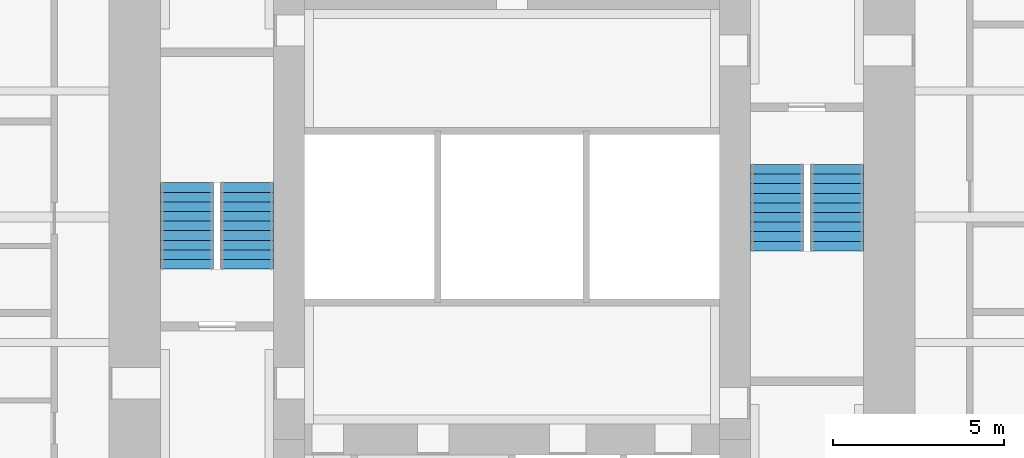
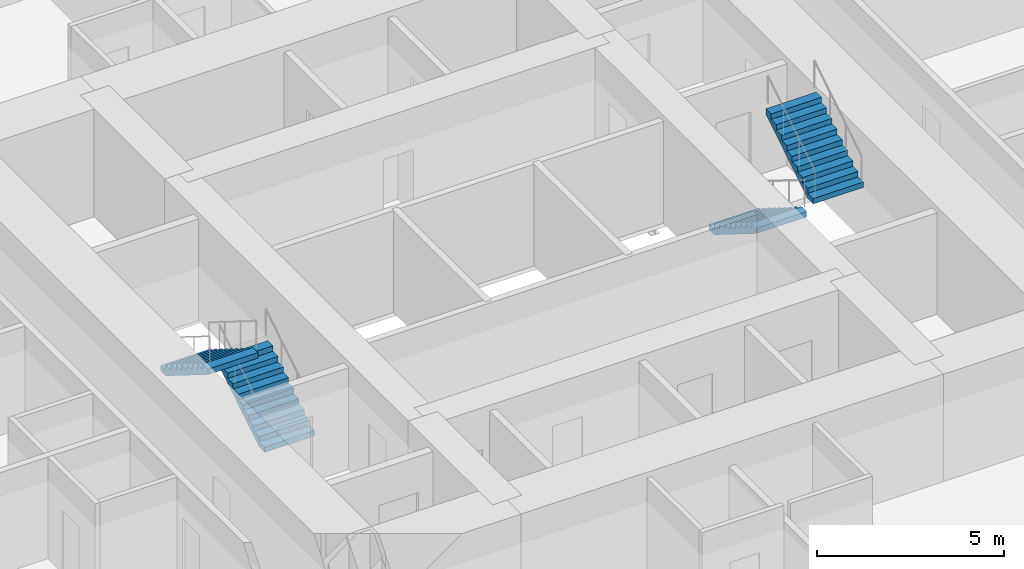
# One storey, part 10 of 11: 4 stair flights, 2 elements without a shape of their own.
"""IFC4 building model written with IfcOpenShell, lengths in metres."""

import ifcopenshell
import ifcopenshell.guid

model = None  # the IFC model being written
_history = None  # IfcOwnerHistory: only IFC2X3 demands one
_inside = {}  # id of a spatial element -> (the spatial element, [elements in it])
_under = {}  # id of a project, library or spatial element -> (it, [spatial elements below it])
_declared = {}  # id of a project -> (the project, [libraries it declares])
_typed = {}  # id of a type object -> (the type object, [elements of that type])
_made_of = {}  # id of a material, layer set ... -> (it, [elements and type objects made of it])


def new_model(schema):
    """Start an empty IFC model of exactly this schema.

    Asked for "IFC4X3", IfcOpenShell would pick the latest addendum, in which some entities
    have other attributes; the version numbers below select the first issue.
    IFC2X3 requires an IfcOwnerHistory on every rooted entity: one is made here for all.
    """
    global model, _history
    if schema == "IFC4X3":
        model = ifcopenshell.file(schema_version=(4, 3, 0, 0))
    else:
        model = ifcopenshell.file(schema=schema)
    _inside.clear()
    _under.clear()
    _declared.clear()
    _typed.clear()
    _made_of.clear()
    _history = None
    if model.schema == "IFC2X3":
        org = make("IfcOrganization", Name="unknown")
        user = make(
            "IfcPersonAndOrganization",
            ThePerson=make("IfcPerson", FamilyName="unknown"),
            TheOrganization=org,
        )
        app = make(
            "IfcApplication",
            ApplicationDeveloper=org,
            Version="unknown",
            ApplicationFullName="unknown",
            ApplicationIdentifier="unknown",
        )
        _history = make(
            "IfcOwnerHistory",
            OwningUser=user,
            OwningApplication=app,
            ChangeAction="ADDED",
            CreationDate=0,
        )
    return model


def make(cls, **values):
    """One entity of the class cls with the attributes given. An attribute that is None is left unset."""
    return model.create_entity(
        cls, **{name: value for name, value in values.items() if value is not None}
    )


def rooted(cls, **values):
    """An entity with a GlobalId (a new one), such as an element, a storey or a relation."""
    return make(cls, GlobalId=ifcopenshell.guid.new(), OwnerHistory=_history, **values)


def si_unit(unit_type, name, prefix=None):
    """IfcSIUnit, for example si_unit("LENGTHUNIT", "METRE", prefix="MILLI")."""
    return make("IfcSIUnit", UnitType=unit_type, Prefix=prefix, Name=name)


def assignment(units):
    """IfcUnitAssignment: the units of a project."""
    return None if units is None else make("IfcUnitAssignment", Units=units)


def point(xyz):
    """IfcCartesianPoint."""
    return None if xyz is None else make("IfcCartesianPoint", Coordinates=xyz)


def direction(xyz):
    """IfcDirection."""
    return None if xyz is None else make("IfcDirection", DirectionRatios=xyz)


def frame(location, z_axis=None, x_axis=None):
    """IfcAxis2Placement3D, a coordinate frame: its origin and axes. An axis left out is left unset."""
    return make(
        "IfcAxis2Placement3D",
        Location=point(location),
        Axis=direction(z_axis),
        RefDirection=direction(x_axis),
    )


def origin():
    """The frame at (0, 0, 0) with its axes left unset."""
    return frame((0.0, 0.0, 0.0))


def place(relative_to, where):
    """IfcLocalPlacement: puts the frame where relative to a parent placement (None: the world)."""
    return make(
        "IfcLocalPlacement", PlacementRelTo=relative_to, RelativePlacement=where
    )


def context(
    kind, dimensions, precision=None, world=None, true_north=None, identifier=None
):
    """IfcGeometricRepresentationContext, for example the 3D "Model" context."""
    return make(
        "IfcGeometricRepresentationContext",
        ContextIdentifier=identifier,
        ContextType=kind,
        CoordinateSpaceDimension=dimensions,
        Precision=precision,
        WorldCoordinateSystem=world,
        TrueNorth=true_north,
    )


def subcontext(parent, identifier, kind, view, scale=None):
    """IfcGeometricRepresentationSubContext, for example "Body" below "Model"."""
    return make(
        "IfcGeometricRepresentationSubContext",
        ContextIdentifier=identifier,
        ContextType=kind,
        ParentContext=parent,
        TargetScale=scale,
        TargetView=view,
    )


def project(units=None, contexts=None):
    """IfcProject with its units and contexts."""
    return rooted(
        "IfcProject",
        Name="project",
        RepresentationContexts=contexts,
        UnitsInContext=assignment(units),
    )


def spatial(cls, under=None, at=None, **own):
    """A site, building, storey or space (cls), placed at a placement, below another one or the project."""
    s = rooted(cls, ObjectPlacement=at, **own)
    if under is not None:
        _under.setdefault(under.id(), (under, []))[1].append(s)
    return s


def polyline(points):
    """IfcPolyline through the points."""
    return make("IfcPolyline", Points=[point(p) for p in points])


def outline(outer, holes=None, kind="AREA"):
    """IfcArbitraryClosedProfileDef: a profile drawn as a closed curve; with holes, ...WithVoids."""
    if holes is None:
        return make("IfcArbitraryClosedProfileDef", ProfileType=kind, OuterCurve=outer)
    return make(
        "IfcArbitraryProfileDefWithVoids",
        ProfileType=kind,
        OuterCurve=outer,
        InnerCurves=holes,
    )


def extrude(swept, where, along, depth):
    """IfcExtrudedAreaSolid: the profile swept, set in the frame where, extruded along a direction by depth."""
    return make(
        "IfcExtrudedAreaSolid",
        SweptArea=swept,
        Position=where,
        ExtrudedDirection=direction(along),
        Depth=depth,
    )


def shape(context_of_items, identifier, shape_type, items):
    """IfcShapeRepresentation: the items that make up one representation, for example the "Body"."""
    return make(
        "IfcShapeRepresentation",
        ContextOfItems=context_of_items,
        RepresentationIdentifier=identifier,
        RepresentationType=shape_type,
        Items=items,
    )


def material(Name=None, Category=None):
    """IfcMaterial."""
    return make("IfcMaterial", Name=Name, Category=Category)


def made_of(thing, what):
    """Note that an element or type object is made of a material, layer set ...; save() writes the relation."""
    if what is not None:
        _made_of.setdefault(what.id(), (what, []))[1].append(thing)
    return thing


def type_object(cls, material=None, **own):
    """A type object (cls), such as IfcWallType, which elements share."""
    return made_of(rooted(cls, **own), material)


def element(
    cls,
    number,
    at=None,
    inside=None,
    cuts=None,
    type_object=None,
    material=None,
    context=None,
    identifier="Body",
    shape_type=None,
    held_by="IfcProductDefinitionShape",
    body=None,
    shapes=None,
    **own,
):
    """One element of the class cls, such as IfcWall. Its Tag is "e" and its number.

    at: its placement. inside: the storey or other place that contains it. cuts: it is an
    opening in that element (IfcRelVoidsElement). A single representation is given by context,
    identifier, shape_type and body (its items); several are given by shapes. held_by: the class
    of the entity that holds the representations. save() writes the other relations.
    """
    e = rooted(cls, Tag="e%d" % number, ObjectPlacement=at, **own)
    if body is not None:
        shapes = [shape(context, identifier, shape_type, body)]
    if shapes is not None:
        e.Representation = make(held_by, Representations=shapes)
    if inside is not None:
        _inside.setdefault(inside.id(), (inside, []))[1].append(e)
    if cuts is not None:
        rooted(
            "IfcRelVoidsElement", RelatingBuildingElement=cuts, RelatedOpeningElement=e
        )
    if type_object is not None:
        _typed.setdefault(type_object.id(), (type_object, []))[1].append(e)
    return made_of(e, material)


def aggregate(whole, parts):
    """IfcRelAggregates: a whole, such as a stair, and the parts it consists of."""
    return rooted("IfcRelAggregates", RelatingObject=whole, RelatedObjects=parts)


def save(model, path):
    """Write the relations noted so far, then the file.

    IfcRelAggregates (storeys below a building ...), IfcRelContainedInSpatialStructure (elements
    in a storey), IfcRelDefinesByType, IfcRelAssociatesMaterial and IfcRelDeclares: one each for
    every whole, place, type object, material and project.
    """
    for whole, parts in _under.values():
        aggregate(whole, parts)
    for where, things in _inside.values():
        rooted(
            "IfcRelContainedInSpatialStructure",
            RelatedElements=things,
            RelatingStructure=where,
        )
    for kind, things in _typed.values():
        rooted("IfcRelDefinesByType", RelatedObjects=things, RelatingType=kind)
    for what, things in _made_of.values():
        rooted("IfcRelAssociatesMaterial", RelatedObjects=things, RelatingMaterial=what)
    for by, libraries in _declared.values():
        rooted("IfcRelDeclares", RelatingContext=by, RelatedDefinitions=libraries)
    model.write(path)


model = new_model("IFC4")

# Units and contexts
model_context = context("Model", 3, precision=1e-05, world=origin(), true_north=direction((0.0, 1.0)))
body_context = subcontext(model_context, "Body", "Model", "MODEL_VIEW")
ifc_project = project(units=[si_unit("LENGTHUNIT", "METRE"), si_unit("AREAUNIT", "SQUARE_METRE"), si_unit("VOLUMEUNIT", "CUBIC_METRE"), si_unit("PLANEANGLEUNIT", "RADIAN"), si_unit("MASSUNIT", "GRAM", prefix="KILO")], contexts=[model_context])

# Site, building, storey
site_placement = place(None, origin())
site = spatial("IfcSite", under=ifc_project, at=site_placement, CompositionType="ELEMENT")
building_placement = place(site_placement, origin())
building = spatial("IfcBuilding", under=site, at=building_placement, Name="Trevanion Tower", CompositionType="ELEMENT")
storey_placement = place(building_placement, frame((0.0, 0.0, 232.699951171875)))
storey = spatial("IfcBuildingStorey", under=building, at=storey_placement, Name="L56", CompositionType="ELEMENT", Elevation=232.699951171875)

# Stair, stair flights
ifc_material_1 = material(Name="Concrete 5,000 psi on steel stringers", Category="concrete")
stair_type = type_object("IfcStairType", Name="ST stair", PredefinedType="HALF_TURN_STAIR", material=ifc_material_1)
stair_1_placement = place(storey_placement, origin())
stair_1 = element("IfcStair", 1, at=stair_1_placement, inside=storey, type_object=stair_type, Name="ST1 L56", PredefinedType="HALF_TURN_STAIR")
ifc_material_2 = material(Name="Concrete 5,000 psi in steel pan", Category="concrete")
stair_flight_type = type_object("IfcStairFlightType", Name="STF stair flight", PredefinedType="STRAIGHT", material=ifc_material_2)
stair_flight_1_placement = place(storey_placement, frame((7.72509765625, 1.52490234375, 0.0), z_axis=(0.0, 0.0, 1.0), x_axis=(0.0, -1.0, 0.0)))
stair_flight_1 = element("IfcStairFlight", 2, at=stair_flight_1_placement, type_object=stair_flight_type, Name="ST1 flight 1", NumberOfRisers=10, NumberOfTreads=9, PredefinedType="STRAIGHT", RiserHeight=0.175, TreadLength=0.28, context=body_context, shape_type="SweptSolid", body=[
    extrude(outline(polyline([(0.0, 0.0), (0.0, 0.175048828125), (0.280029296875, 0.175048828125), (0.280029296875, 0.35009765625), (0.56005859375, 0.35009765625), (0.56005859375, 0.52490234375), (0.840087890625, 0.52490234375), (0.840087890625, 0.699951171875), (1.1201171875, 0.699951171875), (1.1201171875, 0.875), (1.39990234375, 0.875), (1.39990234375, 1.050048828125), (1.679931640625, 1.050048828125), (1.679931640625, 1.22509765625), (1.9599609375, 1.22509765625), (1.9599609375, 1.39990234375), (2.239990234375, 1.39990234375), (2.239990234375, 1.574951171875), (2.52001953125, 1.574951171875), (2.52001953125, 1.75), (2.52001953125, 1.398193359375), (0.28271484375, 0.0), (0.0, 0.0)])), frame((0.0, 0.77490234375, 0.0), z_axis=(0.0, -1.0, 0.0), x_axis=(1.0, 0.0, 0.0)), (0.0, 0.0, 1.0), 1.550048828125),
])
stair_flight_2_placement = place(storey_placement, frame((9.47509765625, -0.9951171875, 1.75), z_axis=(0.0, 0.0, 1.0), x_axis=(0.0, 1.0, 0.0)))
stair_flight_2 = element("IfcStairFlight", 3, at=stair_flight_2_placement, type_object=stair_flight_type, Name="ST1 flight 2", NumberOfRisers=10, NumberOfTreads=9, PredefinedType="STRAIGHT", RiserHeight=0.175, TreadLength=0.28, context=body_context, shape_type="SweptSolid", body=[
    extrude(outline(polyline([(0.0, 0.0), (0.0, 0.175048828125), (0.280029296875, 0.175048828125), (0.280029296875, 0.35009765625), (0.56005859375, 0.35009765625), (0.56005859375, 0.52490234375), (0.840087890625, 0.52490234375), (0.840087890625, 0.699951171875), (1.1201171875, 0.699951171875), (1.1201171875, 0.875), (1.39990234375, 0.875), (1.39990234375, 1.050048828125), (1.679931640625, 1.050048828125), (1.679931640625, 1.22509765625), (1.9599609375, 1.22509765625), (1.9599609375, 1.39990234375), (2.239990234375, 1.39990234375), (2.239990234375, 1.574951171875), (2.52001953125, 1.574951171875), (2.52001953125, 1.75), (2.52001953125, 1.398193359375), (0.28271484375, 0.0), (0.0, 0.0)])), frame((0.0, 0.77490234375, 0.0), z_axis=(0.0, -1.0, 0.0), x_axis=(1.0, 0.0, 0.0)), (0.0, 0.0, 1.0), 1.550048828125),
])
aggregate(stair_1, [stair_flight_1, stair_flight_2])

stair_2_placement = place(storey_placement, origin())
stair_2 = element("IfcStair", 4, at=stair_2_placement, inside=storey, type_object=stair_type, Name="ST2 L56", PredefinedType="HALF_TURN_STAIR")
stair_flight_3_placement = place(storey_placement, frame((-7.72509765625, -1.52490234375, 0.0), z_axis=(0.0, 0.0, 1.0), x_axis=(0.0, 1.0, 0.0)))
stair_flight_3 = element("IfcStairFlight", 5, at=stair_flight_3_placement, type_object=stair_flight_type, Name="ST2 flight 1", NumberOfRisers=10, NumberOfTreads=9, PredefinedType="STRAIGHT", RiserHeight=0.175, TreadLength=0.28, context=body_context, shape_type="SweptSolid", body=[
    extrude(outline(polyline([(0.0, 0.0), (0.0, 0.175048828125), (0.280029296875, 0.175048828125), (0.280029296875, 0.35009765625), (0.56005859375, 0.35009765625), (0.56005859375, 0.52490234375), (0.840087890625, 0.52490234375), (0.840087890625, 0.699951171875), (1.1201171875, 0.699951171875), (1.1201171875, 0.875), (1.39990234375, 0.875), (1.39990234375, 1.050048828125), (1.679931640625, 1.050048828125), (1.679931640625, 1.22509765625), (1.9599609375, 1.22509765625), (1.9599609375, 1.39990234375), (2.239990234375, 1.39990234375), (2.239990234375, 1.574951171875), (2.52001953125, 1.574951171875), (2.52001953125, 1.75), (2.52001953125, 1.398193359375), (0.28271484375, 0.0), (0.0, 0.0)])), frame((0.0, 0.77490234375, 0.0), z_axis=(0.0, -1.0, 0.0), x_axis=(1.0, 0.0, 0.0)), (0.0, 0.0, 1.0), 1.550048828125),
])
stair_flight_4_placement = place(storey_placement, frame((-9.47509765625, 0.9951171875, 1.75), z_axis=(0.0, 0.0, 1.0), x_axis=(0.0, -1.0, 0.0)))
stair_flight_4 = element("IfcStairFlight", 6, at=stair_flight_4_placement, type_object=stair_flight_type, Name="ST2 flight 2", NumberOfRisers=10, NumberOfTreads=9, PredefinedType="STRAIGHT", RiserHeight=0.175, TreadLength=0.28, context=body_context, shape_type="SweptSolid", body=[
    extrude(outline(polyline([(0.0, 0.0), (0.0, 0.175048828125), (0.280029296875, 0.175048828125), (0.280029296875, 0.35009765625), (0.56005859375, 0.35009765625), (0.56005859375, 0.52490234375), (0.840087890625, 0.52490234375), (0.840087890625, 0.699951171875), (1.1201171875, 0.699951171875), (1.1201171875, 0.875), (1.39990234375, 0.875), (1.39990234375, 1.050048828125), (1.679931640625, 1.050048828125), (1.679931640625, 1.22509765625), (1.9599609375, 1.22509765625), (1.9599609375, 1.39990234375), (2.239990234375, 1.39990234375), (2.239990234375, 1.574951171875), (2.52001953125, 1.574951171875), (2.52001953125, 1.75), (2.52001953125, 1.398193359375), (0.28271484375, 0.0), (0.0, 0.0)])), frame((0.0, 0.77490234375, 0.0), z_axis=(0.0, -1.0, 0.0), x_axis=(1.0, 0.0, 0.0)), (0.0, 0.0, 1.0), 1.550048828125),
])
aggregate(stair_2, [stair_flight_3, stair_flight_4])

save(model, "model.ifc")
